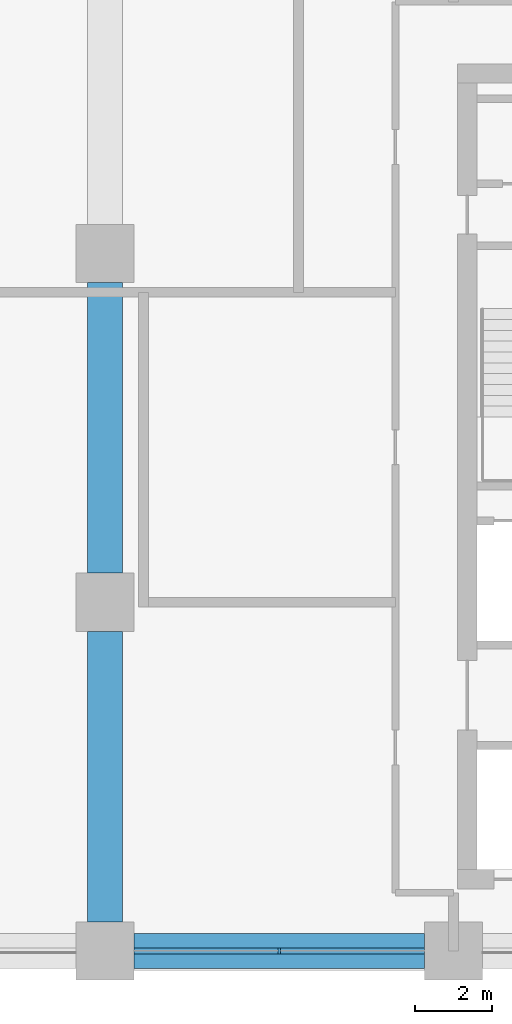
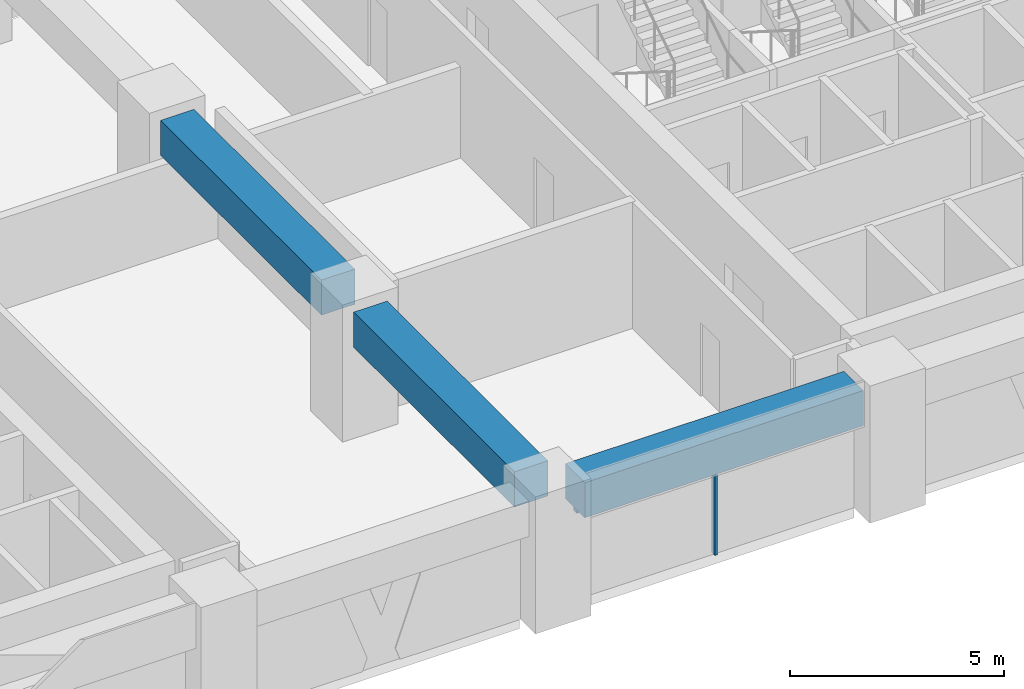
# One storey, part 3 of 14: 3 beams, 2 members, 1 element without a shape of its own.
"""IFC4 building model written with IfcOpenShell, lengths in metres."""

from ifc_helpers import new_model, si_unit, direction, frame, origin, origin_2d, place, context, subcontext, project, spatial, rectangle, extrude, material, material_profile, profile_set, type_object, element, aggregate, save


model = new_model("IFC4")

# Units and contexts
model_context = context("Model", 3, precision=1e-05, world=origin(), true_north=direction((0.0, 1.0)))
body_context = subcontext(model_context, "Body", "Model", "MODEL_VIEW")
ifc_project = project(units=[si_unit("LENGTHUNIT", "METRE"), si_unit("AREAUNIT", "SQUARE_METRE"), si_unit("VOLUMEUNIT", "CUBIC_METRE"), si_unit("PLANEANGLEUNIT", "RADIAN"), si_unit("MASSUNIT", "GRAM", prefix="KILO")], contexts=[model_context])

# Site, building, storey
site_placement = place(None, origin())
site = spatial("IfcSite", under=ifc_project, at=site_placement, CompositionType="ELEMENT")
building_placement = place(site_placement, origin())
building = spatial("IfcBuilding", under=site, at=building_placement, Name="Tessera Arch", CompositionType="ELEMENT")
storey_placement = place(building_placement, frame((0.0, 0.0, 138.800048828125)))
storey = spatial("IfcBuildingStorey", under=building, at=storey_placement, Name="L32", CompositionType="ELEMENT", Elevation=138.800048828125)

# Curtain wall, members
ifc_material_1 = material(Name="CW1 curtain wall")
curtain_wall_type = type_object("IfcCurtainWallType", Name="CW1 curtain wall", PredefinedType="NOTDEFINED", material=ifc_material_1)
curtain_wall_placement = place(storey_placement, origin())
curtain_wall = element("IfcCurtainWall", 1, at=curtain_wall_placement, inside=storey, type_object=curtain_wall_type, Name="CW1 curtain wall S27.0/3 L32", PredefinedType="NOTDEFINED")
ifc_material_2 = material(Name="Anodised aluminium pale metal", Category="aluminium")
ifc_material_profile_1 = material_profile(ifc_material_2, rectangle(XDim=0.159912109375, YDim=0.06005859375, at=origin_2d()), Name="AL 60x160")
ifc_profile_set_1 = profile_set([ifc_material_profile_1], Name="Anodised aluminium pale metal")
member_type_1 = type_object("IfcMemberType", Name="CW1 mullion", PredefinedType="MULLION", material=ifc_profile_set_1)
member_1_placement = place(storey_placement, frame((31.5, 27.0, 0.0), z_axis=(0.0, 0.0, 1.0), x_axis=(0.0, 1.0, 0.0)))
member_1 = element("IfcMember", 2, at=member_1_placement, type_object=member_type_1, Name="CW1 mullion S27.0/3 1", PredefinedType="MULLION", context=body_context, shape_type="SweptSolid", body=[
    extrude(rectangle(XDim=0.159912109375, YDim=0.06005859375, at=origin_2d()), origin(), (0.0, 0.0, 1.0), 2.5),
])
ifc_material_3 = material(Name="Anodised aluminium pale metal", Category="aluminium")
ifc_material_profile_2 = material_profile(ifc_material_3, rectangle(XDim=0.159912109375, YDim=0.10009765625, at=origin_2d()), Name="AL 160x100")
ifc_profile_set_2 = profile_set([ifc_material_profile_2], Name="Anodised aluminium pale metal")
member_type_2 = type_object("IfcMemberType", Name="CW1 transom", PredefinedType="USERDEFINED", material=ifc_profile_set_2)
member_2_placement = place(storey_placement, frame((27.75, 27.0, 2.550048828125), z_axis=(1.0, 0.0, 0.0), x_axis=(0.0, 1.0, 0.0)))
member_2 = element("IfcMember", 3, at=member_2_placement, type_object=member_type_2, Name="CW1 transom S27.0/3 1.1", ObjectType="TRANSOM", PredefinedType="USERDEFINED", context=body_context, shape_type="SweptSolid", body=[
    extrude(rectangle(XDim=0.159912109375, YDim=0.10009765625, at=origin_2d()), origin(), (0.0, 0.0, 1.0), 7.5),
])
aggregate(curtain_wall, [member_1, member_2])

# Beams
ifc_material_4 = material(Name="Concrete C70/85", Category="concrete")
ifc_material_profile_3 = material_profile(ifc_material_4, rectangle(XDim=0.89990234375, YDim=1.0, at=origin_2d()), Name="RC spandrel beam 900 x 1000 Concrete C70/85")
ifc_profile_set_3 = profile_set([ifc_material_profile_3], Name="Concrete C70/85")
beam_type = type_object("IfcBeamType", Name="RC spandrel beam 900 x 1000 Concrete C70/85", PredefinedType="BEAM", material=ifc_profile_set_3)
for number, where, z_axis, x_axis, name in (
    (4, (27.75, 27.0, 3.099853515625), (1.0, 0.0, 0.0), (0.0, 1.0, 0.0), "Spandrel beam L32 S27.0/3"),
    (5, (27.0, 27.75, 3.099853515625), (0.0, 1.0, 0.0), (-1.0, 0.0, 0.0), "Interface beam L32 I0C4D-C4E"),
    (6, (27.0, 36.75, 3.099853515625), (0.0, 1.0, 0.0), (-1.0, 0.0, 0.0), "Interface beam L32 I0C4E-C4F"),
):
    element("IfcBeam", number, at=place(storey_placement, frame(where, z_axis=z_axis, x_axis=x_axis)), inside=storey, type_object=beam_type, Name=name, PredefinedType="BEAM", context=body_context, shape_type="SweptSolid", body=[
        extrude(rectangle(XDim=0.89990234375, YDim=1.0, at=origin_2d()), origin(), (0.0, 0.0, 1.0), 7.5),
    ])

save(model, "model.ifc")
